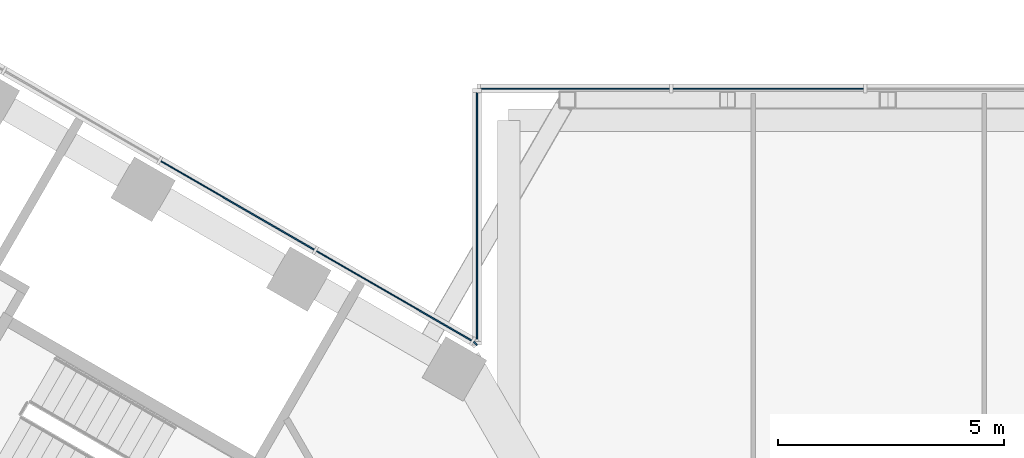
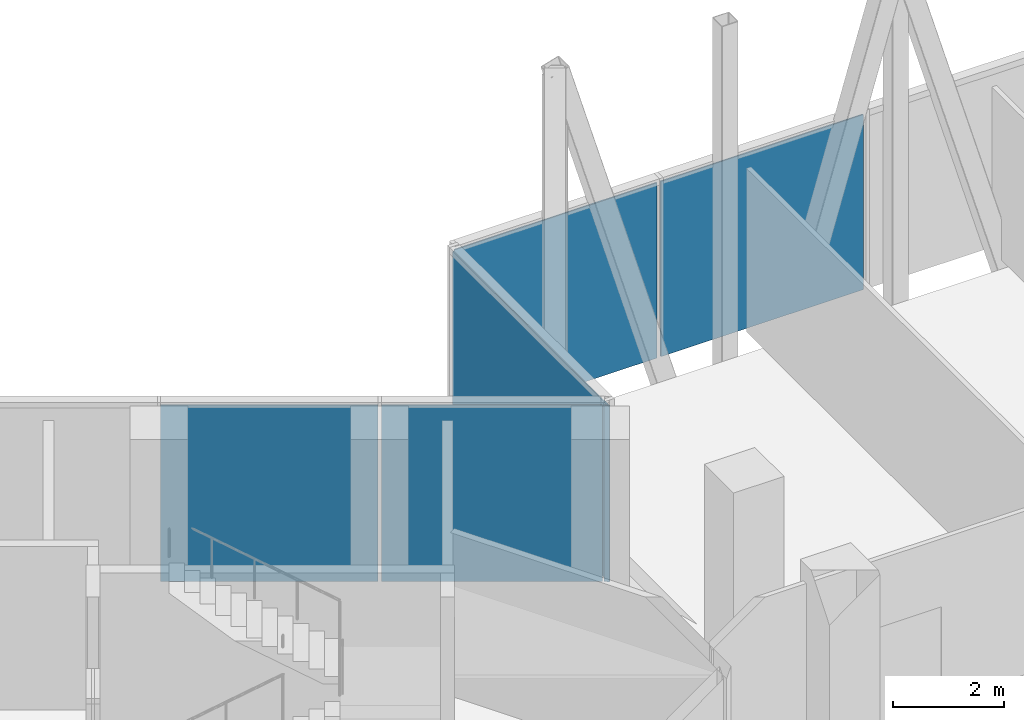
# One storey, part 17 of 24: 6 plates, 4 elements without a shape of their own.
"""IFC4 building model written with IfcOpenShell, lengths in metres."""

from ifc_helpers import new_model, si_unit, direction, frame, origin, origin_2d, place, context, subcontext, project, spatial, rectangle, extrude, material, layer, layer_set, type_object, element, aggregate, save


model = new_model("IFC4")

# Units and contexts
model_context = context("Model", 3, precision=1e-05, world=origin(), true_north=direction((0.0, 1.0)))
body_context = subcontext(model_context, "Body", "Model", "MODEL_VIEW")
ifc_project = project(units=[si_unit("LENGTHUNIT", "METRE"), si_unit("AREAUNIT", "SQUARE_METRE"), si_unit("VOLUMEUNIT", "CUBIC_METRE"), si_unit("PLANEANGLEUNIT", "RADIAN"), si_unit("MASSUNIT", "GRAM", prefix="KILO")], contexts=[model_context])

# Site, building, storey
site_placement = place(None, origin())
site = spatial("IfcSite", under=ifc_project, at=site_placement, CompositionType="ELEMENT")
building_placement = place(site_placement, origin())
building = spatial("IfcBuilding", under=site, at=building_placement, Name="Ayvan Gate Tower", CompositionType="ELEMENT")
storey_placement = place(building_placement, frame((0.0, 0.0, 124.5)))
storey = spatial("IfcBuildingStorey", under=building, at=storey_placement, Name="L33", CompositionType="ELEMENT", Elevation=124.5)

# Curtain wall, plates
ifc_material_1 = material(Name="Bronze anodised aluminium", Category="aluminium")
ifc_layer_1 = layer(ifc_material_1, 0.199951171875)
ifc_layer_set_1 = layer_set([ifc_layer_1], Name="Bronze anodised aluminium")
curtain_wall_type_1 = type_object("IfcCurtainWallType", Name="Stick curtain wall CW-1", PredefinedType="NOTDEFINED", material=ifc_layer_set_1)
curtain_wall_1_placement = place(storey_placement, origin())
curtain_wall_1 = element("IfcCurtainWall", 1, at=curtain_wall_1_placement, inside=storey, type_object=curtain_wall_type_1, Name="Stick curtain wall CW-1 L33", PredefinedType="NOTDEFINED")
ifc_material_2 = material(Name="Clear low-iron laminated glass", Category="glass")
ifc_layer_2 = layer(ifc_material_2, 0.028076171875)
ifc_layer_set_2 = layer_set([ifc_layer_2], Name="Clear low-iron laminated glass")
plate_type_1 = type_object("IfcPlateType", Name="Stick curtain wall CW-1 glass panel", PredefinedType="CURTAIN_PANEL", material=ifc_layer_set_2)
plate_1_placement = place(storey_placement, frame((16.659912109375, 12.855224609375, 0.0), z_axis=(0.0, 0.0, 1.0), x_axis=(-0.866025403784, 0.5, 0.0)))
plate_1 = element("IfcPlate", 2, at=plate_1_placement, type_object=plate_type_1, Name="CW-1 glass panel 1", PredefinedType="CURTAIN_PANEL", context=body_context, shape_type="SweptSolid", body=[
    extrude(rectangle(XDim=3.993896484375, YDim=0.028076171875, at=origin_2d()), origin(), (0.0, 0.0, 1.0), 3.8798828125),
])
plate_2_placement = place(storey_placement, frame((13.18017578125, 14.8642578125, 0.0), z_axis=(0.0, 0.0, 1.0), x_axis=(-0.866025403784, 0.5, 0.0)))
plate_2 = element("IfcPlate", 3, at=plate_2_placement, type_object=plate_type_1, Name="CW-1 glass panel 2", PredefinedType="CURTAIN_PANEL", context=body_context, shape_type="SweptSolid", body=[
    extrude(rectangle(XDim=3.922119140625, YDim=0.028076171875, at=origin_2d()), origin(), (0.0, 0.0, 1.0), 3.8798828125),
])
aggregate(curtain_wall_1, [plate_1, plate_2])

ifc_layer_3 = layer(ifc_material_1, 0.199951171875)
ifc_layer_set_3 = layer_set([ifc_layer_3], Name="Bronze anodised aluminium")
curtain_wall_type_2 = type_object("IfcCurtainWallType", Name="Stick curtain wall CW-4", PredefinedType="NOTDEFINED", material=ifc_layer_set_3)
curtain_wall_2_placement = place(storey_placement, origin())
curtain_wall_2 = element("IfcCurtainWall", 4, at=curtain_wall_2_placement, inside=storey, type_object=curtain_wall_type_2, Name="Stick curtain wall CW-4 L33", PredefinedType="NOTDEFINED")
ifc_material_3 = material(Name="Pale anodised aluminium composite panel", Category="aluminium")
ifc_layer_4 = layer(ifc_material_3, 0.028076171875)
ifc_layer_set_4 = layer_set([ifc_layer_4], Name="Pale anodised aluminium composite panel")
plate_type_2 = type_object("IfcPlateType", Name="Stick curtain wall CW-4 solid panel", PredefinedType="CURTAIN_PANEL", material=ifc_layer_set_4)
plate_3_placement = place(storey_placement, frame((24.935546875, 17.449951171875, 0.0), z_axis=(0.0, 0.0, 1.0), x_axis=(-1.0, 0.0, 0.0)))
plate_3 = element("IfcPlate", 5, at=plate_3_placement, type_object=plate_type_2, Name="CW-4 solid panel 3", PredefinedType="CURTAIN_PANEL", context=body_context, shape_type="SweptSolid", body=[
    extrude(rectangle(XDim=4.219970703125, YDim=0.028076171875, at=origin_2d()), origin(), (0.0, 0.0, 1.0), 3.860107421875),
])
plate_4_placement = place(storey_placement, frame((20.635498046875, 17.449951171875, 0.0), z_axis=(0.0, 0.0, 1.0), x_axis=(-1.0, 0.0, 0.0)))
plate_4 = element("IfcPlate", 6, at=plate_4_placement, type_object=plate_type_2, Name="CW-4 solid panel 4", PredefinedType="CURTAIN_PANEL", context=body_context, shape_type="SweptSolid", body=[
    extrude(rectangle(XDim=4.219970703125, YDim=0.028076171875, at=origin_2d()), origin(), (0.0, 0.0, 1.0), 3.860107421875),
])
aggregate(curtain_wall_2, [plate_3, plate_4])

# Curtain wall, plate
curtain_wall_3_placement = place(storey_placement, origin())
curtain_wall_3 = element("IfcCurtainWall", 7, at=curtain_wall_3_placement, inside=storey, type_object=curtain_wall_type_2, Name="Stick curtain wall CW-4 L33", PredefinedType="NOTDEFINED")
plate_5_placement = place(storey_placement, frame((18.485595703125, 14.61083984375, 0.0), z_axis=(0.0, 0.0, 1.0), x_axis=(0.0, -1.0, 0.0)))
plate_5 = element("IfcPlate", 8, at=plate_5_placement, type_object=plate_type_2, Name="CW-4 solid panel 1", PredefinedType="CURTAIN_PANEL", context=body_context, shape_type="SweptSolid", body=[
    extrude(rectangle(XDim=5.598388671875, YDim=0.028076171875, at=origin_2d()), origin(), (0.0, 0.0, 1.0), 3.860107421875),
])
aggregate(curtain_wall_3, [plate_5])

ifc_layer_5 = layer(ifc_material_1, 0.199951171875)
ifc_layer_set_5 = layer_set([ifc_layer_5], Name="Bronze anodised aluminium")
curtain_wall_type_3 = type_object("IfcCurtainWallType", Name="Stick curtain wall CW-6", PredefinedType="NOTDEFINED", material=ifc_layer_set_5)
curtain_wall_4_placement = place(storey_placement, origin())
curtain_wall_4 = element("IfcCurtainWall", 9, at=curtain_wall_4_placement, inside=storey, type_object=curtain_wall_type_3, Name="Stick curtain wall CW-6 L33", PredefinedType="NOTDEFINED")
ifc_layer_6 = layer(ifc_material_2, 0.028076171875)
ifc_layer_set_6 = layer_set([ifc_layer_6], Name="Clear low-iron laminated glass")
plate_type_3 = type_object("IfcPlateType", Name="Stick curtain wall CW-6 glass panel", PredefinedType="CURTAIN_PANEL", material=ifc_layer_set_6)
plate_6_placement = place(storey_placement, frame((18.450439453125, 11.806640625, 0.0), z_axis=(0.0, 0.0, 1.0), x_axis=(-0.707106781187, 0.707106781187, 0.0)))
plate_6 = element("IfcPlate", 10, at=plate_6_placement, type_object=plate_type_3, Name="CW-6 glass panel 1", PredefinedType="CURTAIN_PANEL", context=body_context, shape_type="SweptSolid", body=[
    extrude(rectangle(XDim=0.099365234375, YDim=0.028076171875, at=origin_2d()), origin(), (0.0, 0.0, 1.0), 3.8798828125),
])
aggregate(curtain_wall_4, [plate_6])

save(model, "model.ifc")
